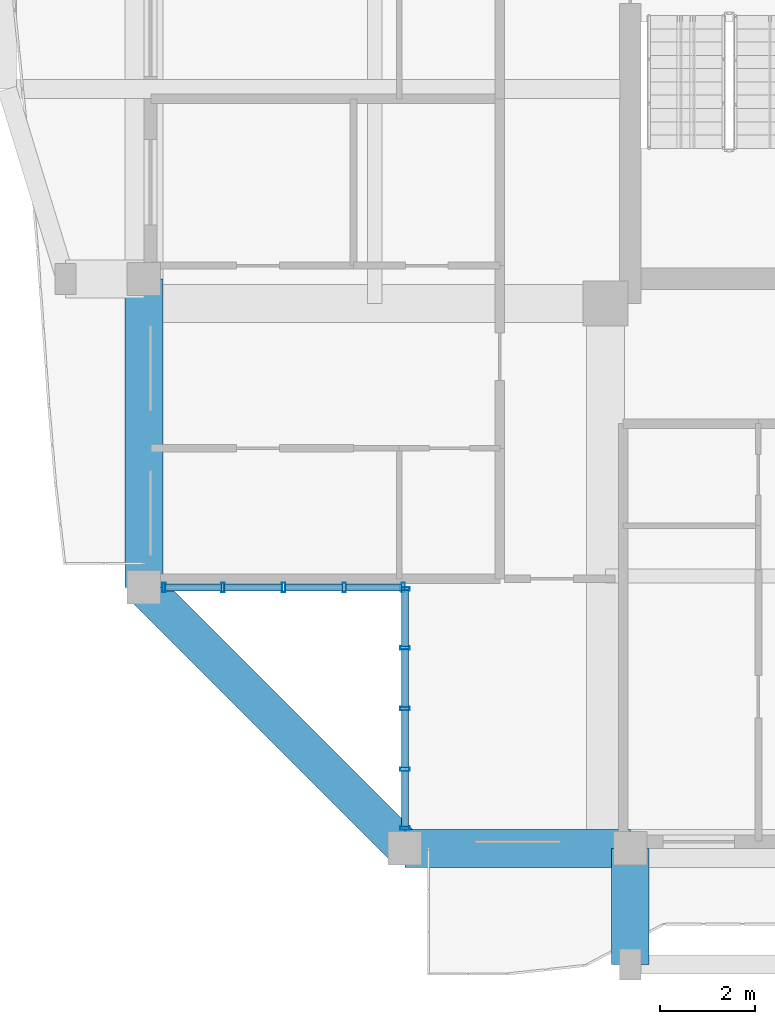
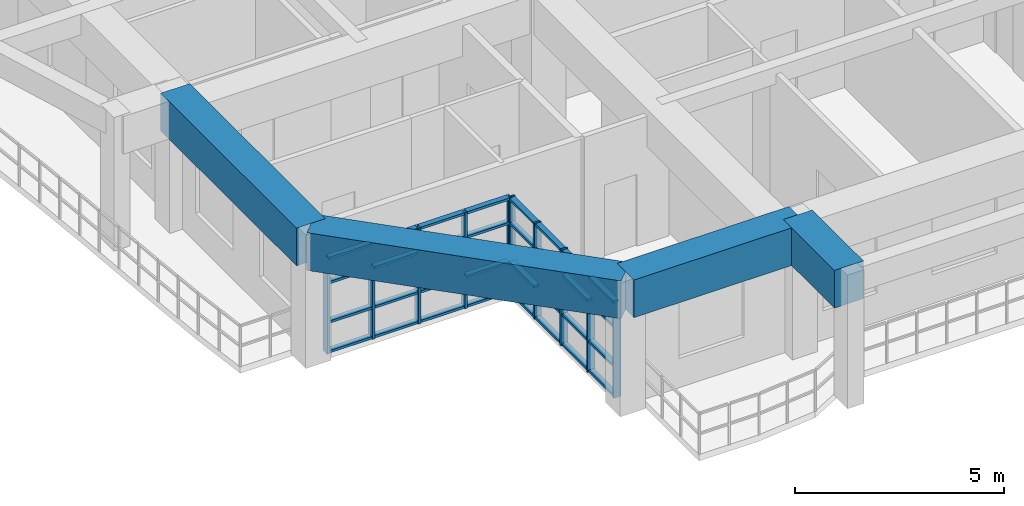
# One storey, part 2 of 27: 42 members, 4 beams, 2 elements without a shape of their own.
"""IFC4 building model written with IfcOpenShell, lengths in metres."""

from ifc_helpers import new_model, si_unit, direction, frame, origin, origin_2d, place, context, subcontext, project, spatial, rectangle, hollow_rectangle, extrude, source, transform, mapped, material, layer, layer_set, material_profile, profile_set, type_object, element, aggregate, save


model = new_model("IFC4")

# Units and contexts
model_context = context("Model", 3, precision=1e-05, world=origin(), true_north=direction((0.0, 1.0)))
body_context = subcontext(model_context, "Body", "Model", "MODEL_VIEW")
ifc_project = project(units=[si_unit("LENGTHUNIT", "METRE"), si_unit("AREAUNIT", "SQUARE_METRE"), si_unit("VOLUMEUNIT", "CUBIC_METRE"), si_unit("PLANEANGLEUNIT", "RADIAN"), si_unit("MASSUNIT", "GRAM", prefix="KILO")], contexts=[model_context])

# Site, building, storey
site_placement = place(None, origin())
site = spatial("IfcSite", under=ifc_project, at=site_placement, CompositionType="ELEMENT")
building_placement = place(site_placement, origin())
building = spatial("IfcBuilding", under=site, at=building_placement, Name="Saelheon Loggia Tower", CompositionType="ELEMENT")
storey_placement = place(building_placement, frame((0.0, 0.0, 226.199951171875)))
storey = spatial("IfcBuildingStorey", under=building, at=storey_placement, Name="L70", CompositionType="ELEMENT", Elevation=226.199951171875)

# Beams
ifc_material_1 = material(Name="Concrete C50/60", Category="concrete")
ifc_material_profile_1 = material_profile(ifc_material_1, rectangle(XDim=0.800048828125, YDim=1.10009765625, at=origin_2d()), Name="RC-800x1100")
ifc_profile_set_1 = profile_set([ifc_material_profile_1], Name="Concrete C50/60")
beam_type = type_object("IfcBeamType", Name="Beam_PerimSetback_RC800x1100", PredefinedType="BEAM", material=ifc_profile_set_1)
shared_shape_1 = source(origin(), body_context, "Body", "SweptSolid", [
    extrude(rectangle(XDim=0.800048828125, YDim=1.10009765625, at=origin_2d()), origin(), (0.0, 0.0, 1.0), 2.449951171875),
])
beam_1_placement = place(storey_placement, frame((31.5, 6.0, 3.35009765625), z_axis=(0.0, -1.0, 0.0), x_axis=(1.0, 0.0, 0.0)))
element("IfcBeam", 1, at=beam_1_placement, inside=storey, type_object=beam_type, Name="L70 Loggia Frame Tie Beam LP-S1", PredefinedType="BEAM", context=body_context, shape_type="MappedRepresentation", body=[
    mapped(shared_shape_1, transform((0.0, 0.0, 0.0), scale=1.0)),
])
shared_shape_2 = source(origin(), body_context, "Body", "SweptSolid", [
    extrude(rectangle(XDim=0.800048828125, YDim=1.10009765625, at=origin_2d()), origin(), (0.0, 0.0, 1.0), 6.5),
])
beam_2_placement = place(storey_placement, frame((21.25, 18.0, 3.35009765625), z_axis=(0.0, -1.0, 0.0), x_axis=(1.0, 0.0, 0.0)))
element("IfcBeam", 2, at=beam_2_placement, inside=storey, type_object=beam_type, Name="L70 Perimeter Frame Girder 15", PredefinedType="BEAM", context=body_context, shape_type="MappedRepresentation", body=[
    mapped(shared_shape_2, transform((0.0, 0.0, 0.0), scale=1.0)),
])
shared_shape_3 = source(origin(), body_context, "Body", "SweptSolid", [
    extrude(rectangle(XDim=0.800048828125, YDim=1.10009765625, at=origin_2d()), origin(), (0.0, 0.0, 1.0), 7.778076171875),
])
beam_3_placement = place(storey_placement, frame((21.25, 11.5, 3.35009765625), z_axis=(0.707106781187, -0.707106781187, 0.0), x_axis=(0.707106781187, 0.707106781187, 0.0)))
element("IfcBeam", 3, at=beam_3_placement, inside=storey, type_object=beam_type, Name="L70 Perimeter Frame Girder 16", PredefinedType="BEAM", context=body_context, shape_type="MappedRepresentation", body=[
    mapped(shared_shape_3, transform((0.0, 0.0, 0.0), scale=1.0)),
])
shared_shape_4 = source(origin(), body_context, "Body", "SweptSolid", [
    extrude(rectangle(XDim=0.800048828125, YDim=1.10009765625, at=origin_2d()), origin(), (0.0, 0.0, 1.0), 4.75),
])
beam_4_placement = place(storey_placement, frame((26.75, 6.0, 3.35009765625), z_axis=(1.0, 0.0, 0.0), x_axis=(0.0, 1.0, 0.0)))
element("IfcBeam", 4, at=beam_4_placement, inside=storey, type_object=beam_type, Name="L70 Perimeter Frame Girder 01", PredefinedType="BEAM", context=body_context, shape_type="MappedRepresentation", body=[
    mapped(shared_shape_4, transform((0.0, 0.0, 0.0), scale=1.0)),
])

# Curtain wall, members
ifc_material_2 = material(Name="High-Wind Aluminium and Triple Laminated Glass", Category="aluminium")
ifc_layer = layer(ifc_material_2, 0.179931640625)
ifc_layer_set = layer_set([ifc_layer], Name="High-Wind Aluminium and Triple Laminated Glass")
curtain_wall_type = type_object("IfcCurtainWallType", Name="CW_TowerLoggiaHigh", PredefinedType="NOTDEFINED", material=ifc_layer_set)
curtain_wall_1_placement = place(storey_placement, origin())
curtain_wall_1 = element("IfcCurtainWall", 5, at=curtain_wall_1_placement, inside=storey, type_object=curtain_wall_type, Name="L70 Corner Notch Glazing SW1", PredefinedType="NOTDEFINED")
ifc_material_3 = material(Name="Anodised Aluminium 6063-T6", Category="aluminium")
ifc_material_profile_2 = material_profile(ifc_material_3, hollow_rectangle(XDim=0.070068359375, YDim=0.14990234375, WallThickness=0.0048828125, at=origin_2d()), Name="RHS-150x70x5")
ifc_profile_set_2 = profile_set([ifc_material_profile_2], Name="Anodised Aluminium 6063-T6")
member_type_1 = type_object("IfcMemberType", Name="CW_TowerLoggiaHigh_Transom", PredefinedType="USERDEFINED", material=ifc_profile_set_2)
shared_shape_5 = source(origin(), body_context, "Body", "SweptSolid", [
    extrude(hollow_rectangle(XDim=0.070068359375, YDim=0.14990234375, WallThickness=0.0048828125, at=origin_2d()), origin(), (0.0, 0.0, 1.0), 1.172607421875),
])
member_1_placement = place(storey_placement, frame((26.75, 6.4599609375, 0.03515625), z_axis=(0.0, 1.0, 0.0), x_axis=(0.0, 0.0, 1.0)))
member_1 = element("IfcMember", 6, at=member_1_placement, type_object=member_type_1, Name="CW4 transom 1.1", ObjectType="TRANSOM", PredefinedType="USERDEFINED", context=body_context, shape_type="MappedRepresentation", body=[
    mapped(shared_shape_5, transform((0.0, 0.0, 0.0), scale=1.0)),
])
member_2_placement = place(storey_placement, frame((26.75, 6.4599609375, 0.900146484375), z_axis=(0.0, 1.0, 0.0), x_axis=(0.0, 0.0, 1.0)))
member_2 = element("IfcMember", 7, at=member_2_placement, type_object=member_type_1, Name="CW4 transom 1.2", ObjectType="TRANSOM", PredefinedType="USERDEFINED", context=body_context, shape_type="MappedRepresentation", body=[
    mapped(shared_shape_5, transform((0.0, 0.0, 0.0), scale=1.0)),
])
member_3_placement = place(storey_placement, frame((26.75, 6.4599609375, 2.050048828125), z_axis=(0.0, 1.0, 0.0), x_axis=(0.0, 0.0, 1.0)))
member_3 = element("IfcMember", 8, at=member_3_placement, type_object=member_type_1, Name="CW4 transom 1.3", ObjectType="TRANSOM", PredefinedType="USERDEFINED", context=body_context, shape_type="MappedRepresentation", body=[
    mapped(shared_shape_5, transform((0.0, 0.0, 0.0), scale=1.0)),
])
member_4_placement = place(storey_placement, frame((26.75, 6.4599609375, 2.755126953125), z_axis=(0.0, 1.0, 0.0), x_axis=(0.0, 0.0, 1.0)))
member_4 = element("IfcMember", 9, at=member_4_placement, type_object=member_type_1, Name="CW4 transom 1.4", ObjectType="TRANSOM", PredefinedType="USERDEFINED", context=body_context, shape_type="MappedRepresentation", body=[
    mapped(shared_shape_5, transform((0.0, 0.0, 0.0), scale=1.0)),
])

curtain_wall_2_placement = place(storey_placement, origin())
curtain_wall_2 = element("IfcCurtainWall", 10, at=curtain_wall_2_placement, inside=storey, type_object=curtain_wall_type, Name="L70 Corner Notch Glazing SW2", PredefinedType="NOTDEFINED")
member_5_placement = place(storey_placement, frame((21.7099609375, 11.5, 0.03515625), z_axis=(1.0, 0.0, 0.0), x_axis=(0.0, 0.0, 1.0)))
member_5 = element("IfcMember", 11, at=member_5_placement, type_object=member_type_1, Name="CW4 transom 1.1", ObjectType="TRANSOM", PredefinedType="USERDEFINED", context=body_context, shape_type="MappedRepresentation", body=[
    mapped(shared_shape_5, transform((0.0, 0.0, 0.0), scale=1.0)),
])
member_6_placement = place(storey_placement, frame((21.7099609375, 11.5, 0.900146484375), z_axis=(1.0, 0.0, 0.0), x_axis=(0.0, 0.0, 1.0)))
member_6 = element("IfcMember", 12, at=member_6_placement, type_object=member_type_1, Name="CW4 transom 1.2", ObjectType="TRANSOM", PredefinedType="USERDEFINED", context=body_context, shape_type="MappedRepresentation", body=[
    mapped(shared_shape_5, transform((0.0, 0.0, 0.0), scale=1.0)),
])
member_7_placement = place(storey_placement, frame((21.7099609375, 11.5, 2.050048828125), z_axis=(1.0, 0.0, 0.0), x_axis=(0.0, 0.0, 1.0)))
member_7 = element("IfcMember", 13, at=member_7_placement, type_object=member_type_1, Name="CW4 transom 1.3", ObjectType="TRANSOM", PredefinedType="USERDEFINED", context=body_context, shape_type="MappedRepresentation", body=[
    mapped(shared_shape_5, transform((0.0, 0.0, 0.0), scale=1.0)),
])
member_8_placement = place(storey_placement, frame((21.7099609375, 11.5, 2.755126953125), z_axis=(1.0, 0.0, 0.0), x_axis=(0.0, 0.0, 1.0)))
member_8 = element("IfcMember", 14, at=member_8_placement, type_object=member_type_1, Name="CW4 transom 1.4", ObjectType="TRANSOM", PredefinedType="USERDEFINED", context=body_context, shape_type="MappedRepresentation", body=[
    mapped(shared_shape_5, transform((0.0, 0.0, 0.0), scale=1.0)),
])

# Member
shared_shape_6 = source(origin(), body_context, "Body", "SweptSolid", [
    extrude(hollow_rectangle(XDim=0.070068359375, YDim=0.14990234375, WallThickness=0.0048828125, at=origin_2d()), origin(), (0.0, 0.0, 1.0), 1.20751953125),
])
member_9_placement = place(storey_placement, frame((26.75, 7.702392578125, 0.03515625), z_axis=(0.0, 1.0, 0.0), x_axis=(0.0, 0.0, 1.0)))
member_9 = element("IfcMember", 15, at=member_9_placement, type_object=member_type_1, Name="CW4 transom 2.1", ObjectType="TRANSOM", PredefinedType="USERDEFINED", context=body_context, shape_type="MappedRepresentation", body=[
    mapped(shared_shape_6, transform((0.0, 0.0, 0.0), scale=1.0)),
])

member_10_placement = place(storey_placement, frame((26.75, 7.702392578125, 0.900146484375), z_axis=(0.0, 1.0, 0.0), x_axis=(0.0, 0.0, 1.0)))
member_10 = element("IfcMember", 16, at=member_10_placement, type_object=member_type_1, Name="CW4 transom 2.2", ObjectType="TRANSOM", PredefinedType="USERDEFINED", context=body_context, shape_type="MappedRepresentation", body=[
    mapped(shared_shape_6, transform((0.0, 0.0, 0.0), scale=1.0)),
])

member_11_placement = place(storey_placement, frame((26.75, 7.702392578125, 2.050048828125), z_axis=(0.0, 1.0, 0.0), x_axis=(0.0, 0.0, 1.0)))
member_11 = element("IfcMember", 17, at=member_11_placement, type_object=member_type_1, Name="CW4 transom 2.3", ObjectType="TRANSOM", PredefinedType="USERDEFINED", context=body_context, shape_type="MappedRepresentation", body=[
    mapped(shared_shape_6, transform((0.0, 0.0, 0.0), scale=1.0)),
])

member_12_placement = place(storey_placement, frame((26.75, 7.702392578125, 2.755126953125), z_axis=(0.0, 1.0, 0.0), x_axis=(0.0, 0.0, 1.0)))
member_12 = element("IfcMember", 18, at=member_12_placement, type_object=member_type_1, Name="CW4 transom 2.4", ObjectType="TRANSOM", PredefinedType="USERDEFINED", context=body_context, shape_type="MappedRepresentation", body=[
    mapped(shared_shape_6, transform((0.0, 0.0, 0.0), scale=1.0)),
])

member_13_placement = place(storey_placement, frame((26.75, 8.97998046875, 0.03515625), z_axis=(0.0, 1.0, 0.0), x_axis=(0.0, 0.0, 1.0)))
member_13 = element("IfcMember", 19, at=member_13_placement, type_object=member_type_1, Name="CW4 transom 3.1", ObjectType="TRANSOM", PredefinedType="USERDEFINED", context=body_context, shape_type="MappedRepresentation", body=[
    mapped(shared_shape_6, transform((0.0, 0.0, 0.0), scale=1.0)),
])

member_14_placement = place(storey_placement, frame((26.75, 8.97998046875, 0.900146484375), z_axis=(0.0, 1.0, 0.0), x_axis=(0.0, 0.0, 1.0)))
member_14 = element("IfcMember", 20, at=member_14_placement, type_object=member_type_1, Name="CW4 transom 3.2", ObjectType="TRANSOM", PredefinedType="USERDEFINED", context=body_context, shape_type="MappedRepresentation", body=[
    mapped(shared_shape_6, transform((0.0, 0.0, 0.0), scale=1.0)),
])

member_15_placement = place(storey_placement, frame((26.75, 8.97998046875, 2.050048828125), z_axis=(0.0, 1.0, 0.0), x_axis=(0.0, 0.0, 1.0)))
member_15 = element("IfcMember", 21, at=member_15_placement, type_object=member_type_1, Name="CW4 transom 3.3", ObjectType="TRANSOM", PredefinedType="USERDEFINED", context=body_context, shape_type="MappedRepresentation", body=[
    mapped(shared_shape_6, transform((0.0, 0.0, 0.0), scale=1.0)),
])

member_16_placement = place(storey_placement, frame((26.75, 8.97998046875, 2.755126953125), z_axis=(0.0, 1.0, 0.0), x_axis=(0.0, 0.0, 1.0)))
member_16 = element("IfcMember", 22, at=member_16_placement, type_object=member_type_1, Name="CW4 transom 3.4", ObjectType="TRANSOM", PredefinedType="USERDEFINED", context=body_context, shape_type="MappedRepresentation", body=[
    mapped(shared_shape_6, transform((0.0, 0.0, 0.0), scale=1.0)),
])

member_17_placement = place(storey_placement, frame((22.952392578125, 11.5, 0.03515625), z_axis=(1.0, 0.0, 0.0), x_axis=(0.0, 0.0, 1.0)))
member_17 = element("IfcMember", 23, at=member_17_placement, type_object=member_type_1, Name="CW4 transom 2.1", ObjectType="TRANSOM", PredefinedType="USERDEFINED", context=body_context, shape_type="MappedRepresentation", body=[
    mapped(shared_shape_6, transform((0.0, 0.0, 0.0), scale=1.0)),
])

member_18_placement = place(storey_placement, frame((22.952392578125, 11.5, 0.900146484375), z_axis=(1.0, 0.0, 0.0), x_axis=(0.0, 0.0, 1.0)))
member_18 = element("IfcMember", 24, at=member_18_placement, type_object=member_type_1, Name="CW4 transom 2.2", ObjectType="TRANSOM", PredefinedType="USERDEFINED", context=body_context, shape_type="MappedRepresentation", body=[
    mapped(shared_shape_6, transform((0.0, 0.0, 0.0), scale=1.0)),
])

member_19_placement = place(storey_placement, frame((22.952392578125, 11.5, 2.050048828125), z_axis=(1.0, 0.0, 0.0), x_axis=(0.0, 0.0, 1.0)))
member_19 = element("IfcMember", 25, at=member_19_placement, type_object=member_type_1, Name="CW4 transom 2.3", ObjectType="TRANSOM", PredefinedType="USERDEFINED", context=body_context, shape_type="MappedRepresentation", body=[
    mapped(shared_shape_6, transform((0.0, 0.0, 0.0), scale=1.0)),
])

member_20_placement = place(storey_placement, frame((22.952392578125, 11.5, 2.755126953125), z_axis=(1.0, 0.0, 0.0), x_axis=(0.0, 0.0, 1.0)))
member_20 = element("IfcMember", 26, at=member_20_placement, type_object=member_type_1, Name="CW4 transom 2.4", ObjectType="TRANSOM", PredefinedType="USERDEFINED", context=body_context, shape_type="MappedRepresentation", body=[
    mapped(shared_shape_6, transform((0.0, 0.0, 0.0), scale=1.0)),
])

member_21_placement = place(storey_placement, frame((24.22998046875, 11.5, 0.03515625), z_axis=(1.0, 0.0, 0.0), x_axis=(0.0, 0.0, 1.0)))
member_21 = element("IfcMember", 27, at=member_21_placement, type_object=member_type_1, Name="CW4 transom 3.1", ObjectType="TRANSOM", PredefinedType="USERDEFINED", context=body_context, shape_type="MappedRepresentation", body=[
    mapped(shared_shape_6, transform((0.0, 0.0, 0.0), scale=1.0)),
])

member_22_placement = place(storey_placement, frame((24.22998046875, 11.5, 0.900146484375), z_axis=(1.0, 0.0, 0.0), x_axis=(0.0, 0.0, 1.0)))
member_22 = element("IfcMember", 28, at=member_22_placement, type_object=member_type_1, Name="CW4 transom 3.2", ObjectType="TRANSOM", PredefinedType="USERDEFINED", context=body_context, shape_type="MappedRepresentation", body=[
    mapped(shared_shape_6, transform((0.0, 0.0, 0.0), scale=1.0)),
])

member_23_placement = place(storey_placement, frame((24.22998046875, 11.5, 2.050048828125), z_axis=(1.0, 0.0, 0.0), x_axis=(0.0, 0.0, 1.0)))
member_23 = element("IfcMember", 29, at=member_23_placement, type_object=member_type_1, Name="CW4 transom 3.3", ObjectType="TRANSOM", PredefinedType="USERDEFINED", context=body_context, shape_type="MappedRepresentation", body=[
    mapped(shared_shape_6, transform((0.0, 0.0, 0.0), scale=1.0)),
])

member_24_placement = place(storey_placement, frame((24.22998046875, 11.5, 2.755126953125), z_axis=(1.0, 0.0, 0.0), x_axis=(0.0, 0.0, 1.0)))
member_24 = element("IfcMember", 30, at=member_24_placement, type_object=member_type_1, Name="CW4 transom 3.4", ObjectType="TRANSOM", PredefinedType="USERDEFINED", context=body_context, shape_type="MappedRepresentation", body=[
    mapped(shared_shape_6, transform((0.0, 0.0, 0.0), scale=1.0)),
])

shared_shape_7 = source(origin(), body_context, "Body", "SweptSolid", [
    extrude(hollow_rectangle(XDim=0.070068359375, YDim=0.14990234375, WallThickness=0.0048828125, at=origin_2d()), origin(), (0.0, 0.0, 1.0), 1.17236328125),
])
member_25_placement = place(storey_placement, frame((26.75, 10.257568359375, 0.03515625), z_axis=(0.0, 1.0, 0.0), x_axis=(0.0, 0.0, 1.0)))
member_25 = element("IfcMember", 31, at=member_25_placement, type_object=member_type_1, Name="CW4 transom 4.1", ObjectType="TRANSOM", PredefinedType="USERDEFINED", context=body_context, shape_type="MappedRepresentation", body=[
    mapped(shared_shape_7, transform((0.0, 0.0, 0.0), scale=1.0)),
])

member_26_placement = place(storey_placement, frame((26.75, 10.257568359375, 0.900146484375), z_axis=(0.0, 1.0, 0.0), x_axis=(0.0, 0.0, 1.0)))
member_26 = element("IfcMember", 32, at=member_26_placement, type_object=member_type_1, Name="CW4 transom 4.2", ObjectType="TRANSOM", PredefinedType="USERDEFINED", context=body_context, shape_type="MappedRepresentation", body=[
    mapped(shared_shape_7, transform((0.0, 0.0, 0.0), scale=1.0)),
])

member_27_placement = place(storey_placement, frame((26.75, 10.257568359375, 2.050048828125), z_axis=(0.0, 1.0, 0.0), x_axis=(0.0, 0.0, 1.0)))
member_27 = element("IfcMember", 33, at=member_27_placement, type_object=member_type_1, Name="CW4 transom 4.3", ObjectType="TRANSOM", PredefinedType="USERDEFINED", context=body_context, shape_type="MappedRepresentation", body=[
    mapped(shared_shape_7, transform((0.0, 0.0, 0.0), scale=1.0)),
])

member_28_placement = place(storey_placement, frame((26.75, 10.257568359375, 2.755126953125), z_axis=(0.0, 1.0, 0.0), x_axis=(0.0, 0.0, 1.0)))
member_28 = element("IfcMember", 34, at=member_28_placement, type_object=member_type_1, Name="CW4 transom 4.4", ObjectType="TRANSOM", PredefinedType="USERDEFINED", context=body_context, shape_type="MappedRepresentation", body=[
    mapped(shared_shape_7, transform((0.0, 0.0, 0.0), scale=1.0)),
])

member_29_placement = place(storey_placement, frame((25.507568359375, 11.5, 0.03515625), z_axis=(1.0, 0.0, 0.0), x_axis=(0.0, 0.0, 1.0)))
member_29 = element("IfcMember", 35, at=member_29_placement, type_object=member_type_1, Name="CW4 transom 4.1", ObjectType="TRANSOM", PredefinedType="USERDEFINED", context=body_context, shape_type="MappedRepresentation", body=[
    mapped(shared_shape_7, transform((0.0, 0.0, 0.0), scale=1.0)),
])

member_30_placement = place(storey_placement, frame((25.507568359375, 11.5, 0.900146484375), z_axis=(1.0, 0.0, 0.0), x_axis=(0.0, 0.0, 1.0)))
member_30 = element("IfcMember", 36, at=member_30_placement, type_object=member_type_1, Name="CW4 transom 4.2", ObjectType="TRANSOM", PredefinedType="USERDEFINED", context=body_context, shape_type="MappedRepresentation", body=[
    mapped(shared_shape_7, transform((0.0, 0.0, 0.0), scale=1.0)),
])

member_31_placement = place(storey_placement, frame((25.507568359375, 11.5, 2.050048828125), z_axis=(1.0, 0.0, 0.0), x_axis=(0.0, 0.0, 1.0)))
member_31 = element("IfcMember", 37, at=member_31_placement, type_object=member_type_1, Name="CW4 transom 4.3", ObjectType="TRANSOM", PredefinedType="USERDEFINED", context=body_context, shape_type="MappedRepresentation", body=[
    mapped(shared_shape_7, transform((0.0, 0.0, 0.0), scale=1.0)),
])

member_32_placement = place(storey_placement, frame((25.507568359375, 11.5, 2.755126953125), z_axis=(1.0, 0.0, 0.0), x_axis=(0.0, 0.0, 1.0)))
member_32 = element("IfcMember", 38, at=member_32_placement, type_object=member_type_1, Name="CW4 transom 4.4", ObjectType="TRANSOM", PredefinedType="USERDEFINED", context=body_context, shape_type="MappedRepresentation", body=[
    mapped(shared_shape_7, transform((0.0, 0.0, 0.0), scale=1.0)),
])

ifc_material_profile_3 = material_profile(ifc_material_3, hollow_rectangle(XDim=0.070068359375, YDim=0.199951171875, WallThickness=0.0048828125, at=origin_2d()), Name="RHS-200x70x5")
ifc_profile_set_3 = profile_set([ifc_material_profile_3], Name="Anodised Aluminium 6063-T6")
member_type_2 = type_object("IfcMemberType", Name="CW_TowerLoggiaHigh_Mullion", PredefinedType="MULLION", material=ifc_profile_set_3)
shared_shape_8 = source(origin(), body_context, "Body", "SweptSolid", [
    extrude(hollow_rectangle(XDim=0.070068359375, YDim=0.199951171875, WallThickness=0.0048828125, at=origin_2d()), origin(), (0.0, 0.0, 1.0), 2.7900390625),
])
member_33_placement = place(storey_placement, frame((26.75, 6.425048828125, 0.0), z_axis=(0.0, 0.0, 1.0), x_axis=(0.0, 1.0, 0.0)))
member_33 = element("IfcMember", 39, at=member_33_placement, type_object=member_type_2, Name="CW4 mullion 1", PredefinedType="MULLION", context=body_context, shape_type="MappedRepresentation", body=[
    mapped(shared_shape_8, transform((0.0, 0.0, 0.0), scale=1.0)),
])

member_34_placement = place(storey_placement, frame((26.75, 7.66748046875, 0.0), z_axis=(0.0, 0.0, 1.0), x_axis=(0.0, 1.0, 0.0)))
member_34 = element("IfcMember", 40, at=member_34_placement, type_object=member_type_2, Name="CW4 mullion 2", PredefinedType="MULLION", context=body_context, shape_type="MappedRepresentation", body=[
    mapped(shared_shape_8, transform((0.0, 0.0, 0.0), scale=1.0)),
])

member_35_placement = place(storey_placement, frame((26.75, 8.945068359375, 0.0), z_axis=(0.0, 0.0, 1.0), x_axis=(0.0, 1.0, 0.0)))
member_35 = element("IfcMember", 41, at=member_35_placement, type_object=member_type_2, Name="CW4 mullion 3", PredefinedType="MULLION", context=body_context, shape_type="MappedRepresentation", body=[
    mapped(shared_shape_8, transform((0.0, 0.0, 0.0), scale=1.0)),
])

member_36_placement = place(storey_placement, frame((26.75, 10.222412109375, 0.0), z_axis=(0.0, 0.0, 1.0), x_axis=(0.0, 1.0, 0.0)))
member_36 = element("IfcMember", 42, at=member_36_placement, type_object=member_type_2, Name="CW4 mullion 4", PredefinedType="MULLION", context=body_context, shape_type="MappedRepresentation", body=[
    mapped(shared_shape_8, transform((0.0, 0.0, 0.0), scale=1.0)),
])

member_37_placement = place(storey_placement, frame((26.75, 11.465087890625, 0.0), z_axis=(0.0, 0.0, 1.0), x_axis=(0.0, 1.0, 0.0)))
member_37 = element("IfcMember", 43, at=member_37_placement, type_object=member_type_2, Name="CW4 mullion 5", PredefinedType="MULLION", context=body_context, shape_type="MappedRepresentation", body=[
    mapped(shared_shape_8, transform((0.0, 0.0, 0.0), scale=1.0)),
])

aggregate(curtain_wall_1, [member_33, member_34, member_35, member_36, member_37, member_1, member_2, member_3, member_4, member_9, member_10, member_11, member_12, member_13, member_14, member_15, member_16, member_25, member_26, member_27, member_28])

member_38_placement = place(storey_placement, frame((21.675048828125, 11.5, 0.0), z_axis=(0.0, 0.0, 1.0), x_axis=(1.0, 0.0, 0.0)))
member_38 = element("IfcMember", 44, at=member_38_placement, type_object=member_type_2, Name="CW4 mullion 1", PredefinedType="MULLION", context=body_context, shape_type="MappedRepresentation", body=[
    mapped(shared_shape_8, transform((0.0, 0.0, 0.0), scale=1.0)),
])

member_39_placement = place(storey_placement, frame((22.91748046875, 11.5, 0.0), z_axis=(0.0, 0.0, 1.0), x_axis=(1.0, 0.0, 0.0)))
member_39 = element("IfcMember", 45, at=member_39_placement, type_object=member_type_2, Name="CW4 mullion 2", PredefinedType="MULLION", context=body_context, shape_type="MappedRepresentation", body=[
    mapped(shared_shape_8, transform((0.0, 0.0, 0.0), scale=1.0)),
])

member_40_placement = place(storey_placement, frame((24.195068359375, 11.5, 0.0), z_axis=(0.0, 0.0, 1.0), x_axis=(1.0, 0.0, 0.0)))
member_40 = element("IfcMember", 46, at=member_40_placement, type_object=member_type_2, Name="CW4 mullion 3", PredefinedType="MULLION", context=body_context, shape_type="MappedRepresentation", body=[
    mapped(shared_shape_8, transform((0.0, 0.0, 0.0), scale=1.0)),
])

member_41_placement = place(storey_placement, frame((25.472412109375, 11.5, 0.0), z_axis=(0.0, 0.0, 1.0), x_axis=(1.0, 0.0, 0.0)))
member_41 = element("IfcMember", 47, at=member_41_placement, type_object=member_type_2, Name="CW4 mullion 4", PredefinedType="MULLION", context=body_context, shape_type="MappedRepresentation", body=[
    mapped(shared_shape_8, transform((0.0, 0.0, 0.0), scale=1.0)),
])

member_42_placement = place(storey_placement, frame((26.715087890625, 11.5, 0.0), z_axis=(0.0, 0.0, 1.0), x_axis=(1.0, 0.0, 0.0)))
member_42 = element("IfcMember", 48, at=member_42_placement, type_object=member_type_2, Name="CW4 mullion 5", PredefinedType="MULLION", context=body_context, shape_type="MappedRepresentation", body=[
    mapped(shared_shape_8, transform((0.0, 0.0, 0.0), scale=1.0)),
])

aggregate(curtain_wall_2, [member_38, member_39, member_40, member_41, member_42, member_5, member_6, member_7, member_8, member_17, member_18, member_19, member_20, member_21, member_22, member_23, member_24, member_29, member_30, member_31, member_32])

save(model, "model.ifc")
